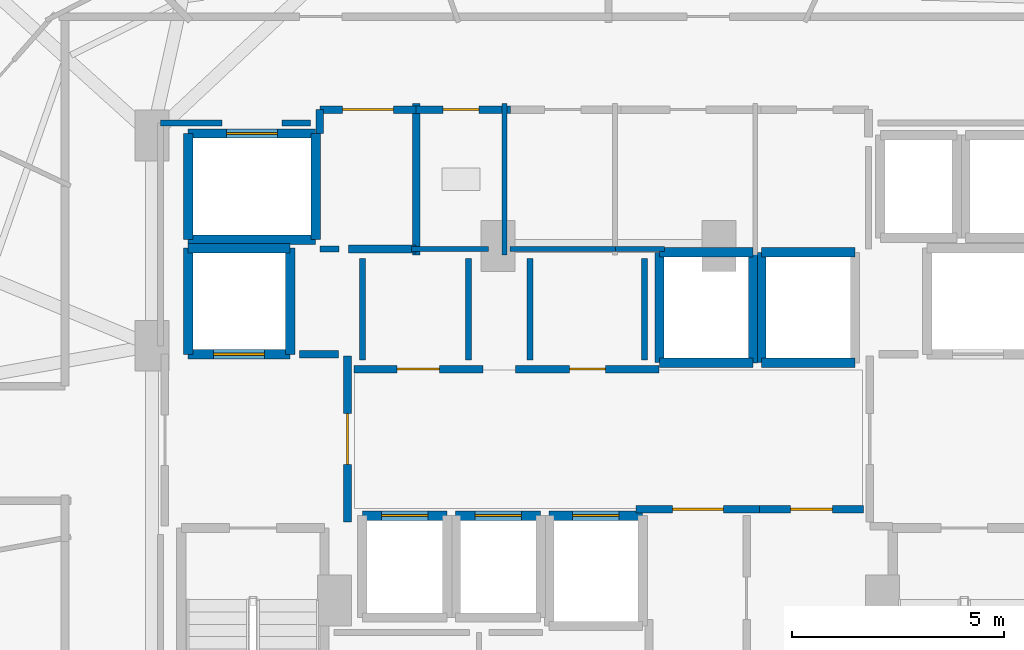
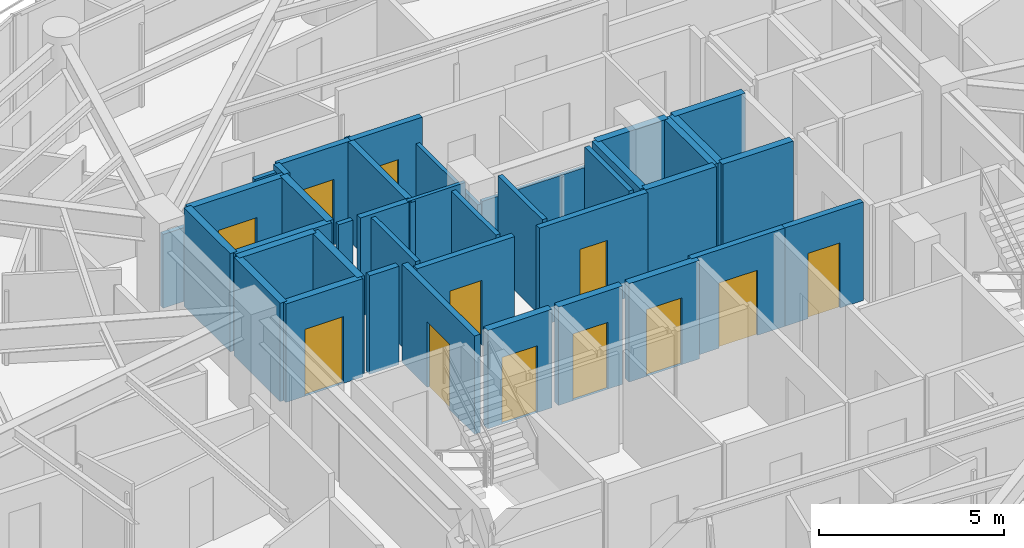
# One storey, part 24 of 31: 40 walls, 12 doors, 12 openings.
"""IFC4 building model written with IfcOpenShell, lengths in metres."""

from ifc_helpers import new_model, si_unit, direction, frame, frame_2d, origin, place, context, subcontext, project, spatial, rectangle, extrude, material, layer, layer_set, type_object, element, fill, save


model = new_model("IFC4")

# Units and contexts
model_context = context("Model", 3, precision=1e-05, world=origin(), true_north=direction((0.0, 1.0)))
body_context = subcontext(model_context, "Body", "Model", "MODEL_VIEW")
ifc_project = project(units=[si_unit("LENGTHUNIT", "METRE"), si_unit("AREAUNIT", "SQUARE_METRE"), si_unit("VOLUMEUNIT", "CUBIC_METRE"), si_unit("PLANEANGLEUNIT", "RADIAN"), si_unit("MASSUNIT", "GRAM", prefix="KILO")], contexts=[model_context])

# Site, building, storey
site_placement = place(None, origin())
site = spatial("IfcSite", under=ifc_project, at=site_placement, CompositionType="ELEMENT")
building_placement = place(site_placement, origin())
building = spatial("IfcBuilding", under=site, at=building_placement, Name="Vorneva Point Tower", CompositionType="ELEMENT")
storey_placement = place(building_placement, frame((0.0, 0.0, 132.60009765625)))
storey = spatial("IfcBuildingStorey", under=building, at=storey_placement, Name="L35", CompositionType="ELEMENT", Elevation=132.60009765625)

# Wall, opening, door
ifc_material_1 = material(Name="Concrete B60 (C50/60)", Category="concrete")
ifc_layer_1 = layer(ifc_material_1, 0.5)
ifc_layer_set_1 = layer_set([ifc_layer_1], Name="Concrete B60 (C50/60)")
wall_type_1 = type_object("IfcWallType", Name="WL-CORE-500", PredefinedType="SHEAR", material=ifc_layer_set_1)
wall_1_placement = place(storey_placement, frame((28.10009765625, 28.0, 0.0), z_axis=(0.0, 0.0, 1.0), x_axis=(1.0, 0.0, 0.0)))
wall_1 = element("IfcWall", 1, at=wall_1_placement, inside=storey, type_object=wall_type_1, Name="L35 Lift FFL1 Shaft Wall -Y", PredefinedType="SHEAR", context=body_context, shape_type="SweptSolid", body=[
    extrude(rectangle(XDim=2.39990234375, YDim=0.219970703125, at=frame_2d((1.199951171875, 0.0))), origin(), (0.0, 0.0, 1.0), 3.239990234375),
])
opening_1_placement = place(wall_1_placement, frame((0.60009765625, 0.0, 0.0)))
opening_1 = element("IfcOpeningElement", 2, at=opening_1_placement, cuts=wall_1, Name="Opening LD-02", PredefinedType="OPENING", context=body_context, shape_type="SweptSolid", body=[
    extrude(rectangle(XDim=1.199951171875, YDim=2.199951171875, at=frame_2d((0.60009765625, 1.10009765625))), frame((0.0, 0.125, 0.0), z_axis=(0.0, -1.0, 0.0), x_axis=(1.0, 0.0, 0.0)), (0.0, 0.0, 1.0), 0.249755859375),
])
ifc_material_2 = material(Name="Brushed stainless steel S304", Category="steel")
door_type_1 = type_object("IfcDoorType", Name="LD-FIRE-1200", OperationType="SLIDING_TO_LEFT", PredefinedType="DOOR", material=ifc_material_2)
door_1_placement = place(opening_1_placement, origin())
door_1 = element("IfcDoor", 3, at=door_1_placement, inside=storey, type_object=door_type_1, Name="L35 Lift FFL1 Sliding Landing Door", OperationType="SLIDING_TO_LEFT", OverallHeight=2.199951171875, OverallWidth=1.199951171875, PredefinedType="DOOR", context=body_context, shape_type="SweptSolid", body=[
    extrude(rectangle(XDim=1.199951171875, YDim=2.199951171875, at=frame_2d((0.60009765625, 1.10009765625))), frame((0.0, 0.02490234375, 0.0), z_axis=(0.0, -1.0, 0.0), x_axis=(1.0, 0.0, 0.0)), (0.0, 0.0, 1.0), 0.050048828125),
])
fill(opening_1, door_1)

# Walls
wall_2_placement = place(storey_placement, frame((30.5, 28.0, 0.0), z_axis=(0.0, 0.0, 1.0), x_axis=(0.0, 1.0, 0.0)))
element("IfcWall", 4, at=wall_2_placement, inside=storey, type_object=wall_type_1, Name="L35 Lift FFL1 Shaft Wall +X", PredefinedType="SHEAR", context=body_context, shape_type="SweptSolid", body=[
    extrude(rectangle(XDim=2.5, YDim=0.219970703125, at=frame_2d((1.25, 0.0))), origin(), (0.0, 0.0, 1.0), 3.239990234375),
])
wall_3_placement = place(storey_placement, frame((30.5, 30.5, 0.0), z_axis=(0.0, 0.0, 1.0), x_axis=(-1.0, 0.0, 0.0)))
element("IfcWall", 5, at=wall_3_placement, inside=storey, type_object=wall_type_1, Name="L35 Lift FFL1 Shaft Wall +Y", PredefinedType="SHEAR", context=body_context, shape_type="SweptSolid", body=[
    extrude(rectangle(XDim=2.39990234375, YDim=0.219970703125, at=frame_2d((1.199951171875, 0.0))), origin(), (0.0, 0.0, 1.0), 3.239990234375),
])
wall_4_placement = place(storey_placement, frame((28.10009765625, 30.5, 0.0), z_axis=(0.0, 0.0, 1.0), x_axis=(0.0, -1.0, 0.0)))
element("IfcWall", 6, at=wall_4_placement, inside=storey, type_object=wall_type_1, Name="L35 Lift FFL1 Shaft Wall -X", PredefinedType="SHEAR", context=body_context, shape_type="SweptSolid", body=[
    extrude(rectangle(XDim=2.5, YDim=0.219970703125, at=frame_2d((1.25, 0.0))), origin(), (0.0, 0.0, 1.0), 3.239990234375),
])
ifc_material_3 = material(Name="Fire-rated acoustic gypsum stud partition", Category="gypsum")
ifc_layer_2 = layer(ifc_material_3, 0.110107421875)
ifc_layer_set_2 = layer_set([ifc_layer_2], Name="Fire-rated acoustic gypsum stud partition")
wall_type_2 = type_object("IfcWallType", Name="WL-PART-110", PredefinedType="PARTITIONING", material=ifc_layer_set_2)
wall_5_placement = place(storey_placement, frame((35.550048828125, 30.340087890625, 0.0), z_axis=(0.0, 0.0, 1.0), x_axis=(0.0, 1.0, 0.0)))
element("IfcWall", 7, at=wall_5_placement, inside=storey, type_object=wall_type_2, Name="L35 Interior Partition 020", PredefinedType="PARTITIONING", context=body_context, shape_type="SweptSolid", body=[
    extrude(rectangle(XDim=3.559814453125, YDim=0.110107421875, at=frame_2d((1.77978515625, 0.0))), origin(), (0.0, 0.0, 1.0), 2.431884765625),
])
wall_6_placement = place(storey_placement, frame((33.360107421875, 30.47998046875, 0.0), z_axis=(0.0, 0.0, 1.0), x_axis=(1.0, 0.0, 0.0)))
element("IfcWall", 8, at=wall_6_placement, inside=storey, type_object=wall_type_2, Name="L35 Interior Partition 021", PredefinedType="PARTITIONING", context=body_context, shape_type="SweptSolid", body=[
    extrude(rectangle(XDim=1.809814453125, YDim=0.110107421875, at=frame_2d((0.90478515625, 0.0))), origin(), (0.0, 0.0, 1.0), 3.239990234375),
])
wall_7_placement = place(storey_placement, frame((35.679931640625, 30.47998046875, 0.0), z_axis=(0.0, 0.0, 1.0), x_axis=(1.0, 0.0, 0.0)))
element("IfcWall", 9, at=wall_7_placement, inside=storey, type_object=wall_type_2, Name="L35 Interior Partition 024", PredefinedType="PARTITIONING", context=body_context, shape_type="SweptSolid", body=[
    extrude(rectangle(XDim=2.594970703125, YDim=0.110107421875, at=frame_2d((1.29736328125, 0.0))), origin(), (0.0, 0.0, 1.0), 2.431884765625),
])
wall_8_placement = place(storey_placement, frame((38.1650390625, 30.47998046875, 0.0), z_axis=(0.0, 0.0, 1.0), x_axis=(1.0, 0.0, 0.0)))
element("IfcWall", 10, at=wall_8_placement, inside=storey, type_object=wall_type_2, Name="L35 Interior Partition 027", PredefinedType="PARTITIONING", context=body_context, shape_type="SweptSolid", body=[
    extrude(rectangle(XDim=1.155029296875, YDim=0.110107421875, at=frame_2d((0.57763671875, 0.0))), origin(), (0.0, 0.0, 1.0), 2.431884765625),
])
ifc_layer_3 = layer(ifc_material_3, 0.139892578125)
ifc_layer_set_3 = layer_set([ifc_layer_3], Name="Fire-rated acoustic gypsum stud partition")
wall_type_3 = type_object("IfcWallType", Name="WL-PART-140", PredefinedType="PARTITIONING", material=ifc_layer_set_3)
wall_9_placement = place(storey_placement, frame((31.199951171875, 30.47998046875, 0.0), z_axis=(0.0, 0.0, 1.0), x_axis=(1.0, 0.0, 0.0)))
element("IfcWall", 11, at=wall_9_placement, inside=storey, type_object=wall_type_3, Name="L35 Interior Closure Partition 137", PredefinedType="PARTITIONING", context=body_context, shape_type="SweptSolid", body=[
    extrude(rectangle(XDim=0.449951171875, YDim=0.139892578125, at=frame_2d((0.22509765625, 0.0))), origin(), (0.0, 0.0, 1.0), 3.239990234375),
])
for number, where, z_axis, x_axis, name in (
    (12, (32.199951171875, 30.260009765625, 0.0), (0.0, 0.0, 1.0), (0.0, -1.0, 0.0), "L35 Interior Closure Partition 141"),
    (13, (34.699951171875, 27.8701171875, 0.0), (0.0, 0.0, 1.0), (0.0, 1.0, 0.0), "L35 Interior Closure Partition 142"),
    (14, (36.14990234375, 30.260009765625, 0.0), (0.0, 0.0, 1.0), (0.0, -1.0, 0.0), "L35 Interior Closure Partition 143"),
    (15, (38.85009765625, 27.8701171875, 0.0), (0.0, 0.0, 1.0), (0.0, 1.0, 0.0), "L35 Interior Closure Partition 144"),
):
    element("IfcWall", number, at=place(storey_placement, frame(where, z_axis=z_axis, x_axis=x_axis)), inside=storey, type_object=wall_type_3, Name=name, PredefinedType="PARTITIONING", context=body_context, shape_type="SweptSolid", body=[
        extrude(rectangle(XDim=2.389892578125, YDim=0.139892578125, at=frame_2d((1.19482421875, 0.0))), origin(), (0.0, 0.0, 1.0), 3.239990234375),
    ])
wall_10_placement = place(storey_placement, frame((30.97998046875, 33.449951171875, 0.0), z_axis=(0.0, 0.0, 1.0), x_axis=(-1.0, 0.0, 0.0)))
element("IfcWall", 16, at=wall_10_placement, inside=storey, type_object=wall_type_3, Name="L35 Interior Closure Partition 147", PredefinedType="PARTITIONING", context=body_context, shape_type="SweptSolid", body=[
    extrude(rectangle(XDim=0.674072265625, YDim=0.139892578125, at=frame_2d((0.3369140625, 0.0))), origin(), (0.0, 0.0, 1.0), 3.239990234375),
])
wall_11_placement = place(storey_placement, frame((28.89404296875, 33.449951171875, 0.0), z_axis=(0.0, 0.0, 1.0), x_axis=(-1.0, 0.0, 0.0)))
element("IfcWall", 17, at=wall_11_placement, inside=storey, type_object=wall_type_3, Name="L35 Interior Closure Partition 148", PredefinedType="PARTITIONING", context=body_context, shape_type="SweptSolid", body=[
    extrude(rectangle(XDim=1.444091796875, YDim=0.139892578125, at=frame_2d((0.72216796875, 0.0))), origin(), (0.0, 0.0, 1.0), 2.431884765625),
])

# Wall, opening, door
ifc_material_4 = material(Name="Autoclaved aerated concrete blockwork", Category="masonry")
ifc_layer_4 = layer(ifc_material_4, 0.179931640625)
ifc_layer_set_4 = layer_set([ifc_layer_4], Name="Autoclaved aerated concrete blockwork")
wall_type_4 = type_object("IfcWallType", Name="WL-PART-180", PredefinedType="PARTITIONING", material=ifc_layer_set_4)
wall_12_placement = place(storey_placement, frame((31.85009765625, 24.044921875, 0.0), z_axis=(0.0, 0.0, 1.0), x_axis=(0.0, 1.0, 0.0)))
wall_12 = element("IfcWall", 18, at=wall_12_placement, inside=storey, type_object=wall_type_4, Name="L35 Interior Partition 001", PredefinedType="PARTITIONING", context=body_context, shape_type="SweptSolid", body=[
    extrude(rectangle(XDim=3.91015625, YDim=0.179931640625, at=frame_2d((1.955078125, 0.0))), origin(), (0.0, 0.0, 1.0), 3.239990234375),
])
opening_2_placement = place(wall_12_placement, frame((1.35498046875, 0.0, 0.0)))
opening_2 = element("IfcOpeningElement", 19, at=opening_2_placement, cuts=wall_12, Name="Opening FD-02", PredefinedType="OPENING", context=body_context, shape_type="SweptSolid", body=[
    extrude(rectangle(XDim=1.199951171875, YDim=2.14990234375, at=frame_2d((0.60009765625, 1.074951171875))), frame((0.0, 0.10498046875, 0.0), z_axis=(0.0, -1.0, 0.0), x_axis=(1.0, 0.0, 0.0)), (0.0, 0.0, 1.0), 0.209716796875),
])
ifc_material_5 = material(Name="Fire-rated powder-coated steel", Category="steel")
door_type_2 = type_object("IfcDoorType", Name="DR-FFL-1200", OperationType="NOTDEFINED", PredefinedType="DOOR", material=ifc_material_5)
door_2_placement = place(opening_2_placement, origin())
door_2 = element("IfcDoor", 20, at=door_2_placement, inside=storey, type_object=door_type_2, Name="L35 Door West Firefighting Lobby / Central Lift Lobby", OperationType="SINGLE_SWING_LEFT", OverallHeight=2.14990234375, OverallWidth=1.199951171875, PredefinedType="DOOR", context=body_context, shape_type="SweptSolid", body=[
    extrude(rectangle(XDim=1.199951171875, YDim=2.14990234375, at=frame_2d((0.60009765625, 1.074951171875))), frame((0.0, 0.02490234375, 0.0), z_axis=(0.0, -1.0, 0.0), x_axis=(1.0, 0.0, 0.0)), (0.0, 0.0, 1.0), 0.050048828125),
])
fill(opening_2, door_2)

# Walls
wall_13_placement = place(storey_placement, frame((33.469970703125, 30.340087890625, 0.0), z_axis=(0.0, 0.0, 1.0), x_axis=(0.0, 1.0, 0.0)))
element("IfcWall", 21, at=wall_13_placement, inside=storey, type_object=wall_type_4, Name="L35 Interior Partition 006", PredefinedType="PARTITIONING", context=body_context, shape_type="SweptSolid", body=[
    extrude(rectangle(XDim=3.559814453125, YDim=0.179931640625, at=frame_2d((1.77978515625, 0.0))), origin(), (0.0, 0.0, 1.0), 3.239990234375),
])
wall_14_placement = place(storey_placement, frame((31.8701171875, 30.47998046875, 0.0), z_axis=(0.0, 0.0, 1.0), x_axis=(1.0, 0.0, 0.0)))
element("IfcWall", 22, at=wall_14_placement, inside=storey, type_object=wall_type_4, Name="L35 Interior Partition 007", PredefinedType="PARTITIONING", context=body_context, shape_type="SweptSolid", body=[
    extrude(rectangle(XDim=1.599853515625, YDim=0.179931640625, at=frame_2d((0.7998046875, 0.0))), origin(), (0.0, 0.0, 1.0), 3.239990234375),
])

# Wall, opening, door
wall_15_placement = place(storey_placement, frame((33.469970703125, 33.760009765625, 0.0), z_axis=(0.0, 0.0, 1.0), x_axis=(-1.0, 0.0, 0.0)))
wall_15 = element("IfcWall", 23, at=wall_15_placement, inside=storey, type_object=wall_type_4, Name="L35 Interior Partition 008", PredefinedType="PARTITIONING", context=body_context, shape_type="SweptSolid", body=[
    extrude(rectangle(XDim=2.27001953125, YDim=0.179931640625, at=frame_2d((1.135009765625, 0.0))), origin(), (0.0, 0.0, 1.0), 3.239990234375),
])
opening_3_placement = place(wall_15_placement, frame((0.534912109375, 0.0, 0.0)))
opening_3 = element("IfcOpeningElement", 24, at=opening_3_placement, cuts=wall_15, Name="Opening FD-02", PredefinedType="OPENING", context=body_context, shape_type="SweptSolid", body=[
    extrude(rectangle(XDim=1.199951171875, YDim=2.14990234375, at=frame_2d((0.60009765625, 1.074951171875))), frame((0.0, 0.10498046875, 0.0), z_axis=(0.0, -1.0, 0.0), x_axis=(1.0, 0.0, 0.0)), (0.0, 0.0, 1.0), 0.209716796875),
])
door_3_placement = place(opening_3_placement, origin())
door_3 = element("IfcDoor", 25, at=door_3_placement, inside=storey, type_object=door_type_2, Name="L35 Door Service Lift Lobby / L35 Circulation Corridor", OperationType="SINGLE_SWING_LEFT", OverallHeight=2.14990234375, OverallWidth=1.199951171875, PredefinedType="DOOR", context=body_context, shape_type="SweptSolid", body=[
    extrude(rectangle(XDim=1.199951171875, YDim=2.14990234375, at=frame_2d((0.60009765625, 1.074951171875))), frame((0.0, 0.02490234375, 0.0), z_axis=(0.0, -1.0, 0.0), x_axis=(1.0, 0.0, 0.0)), (0.0, 0.0, 1.0), 0.050048828125),
])
fill(opening_3, door_3)

# Wall
wall_16_placement = place(storey_placement, frame((31.199951171875, 33.760009765625, 0.0), z_axis=(0.0, 0.0, 1.0), x_axis=(0.0, -1.0, 0.0)))
element("IfcWall", 26, at=wall_16_placement, inside=storey, type_object=wall_type_4, Name="L35 Interior Partition 009", PredefinedType="PARTITIONING", context=body_context, shape_type="SweptSolid", body=[
    extrude(rectangle(XDim=0.56005859375, YDim=0.179931640625, at=frame_2d((0.280029296875, 0.0))), origin(), (0.0, 0.0, 1.0), 3.239990234375),
])

# Wall, opening, door
wall_17_placement = place(storey_placement, frame((38.64501953125, 24.35009765625, 0.0), z_axis=(0.0, 0.0, 1.0), x_axis=(1.0, 0.0, 0.0)))
wall_17 = element("IfcWall", 27, at=wall_17_placement, inside=storey, type_object=wall_type_4, Name="L35 Interior Partition 010", PredefinedType="PARTITIONING", context=body_context, shape_type="SweptSolid", body=[
    extrude(rectangle(XDim=2.909912109375, YDim=0.179931640625, at=frame_2d((1.455078125, 0.0))), origin(), (0.0, 0.0, 1.0), 3.239990234375),
])
opening_4_placement = place(wall_17_placement, frame((0.85498046875, 0.0, 0.0)))
opening_4 = element("IfcOpeningElement", 28, at=opening_4_placement, cuts=wall_17, Name="Opening FD-02", PredefinedType="OPENING", context=body_context, shape_type="SweptSolid", body=[
    extrude(rectangle(XDim=1.199951171875, YDim=2.14990234375, at=frame_2d((0.60009765625, 1.074951171875))), frame((0.0, 0.10498046875, 0.0), z_axis=(0.0, -1.0, 0.0), x_axis=(1.0, 0.0, 0.0)), (0.0, 0.0, 1.0), 0.209716796875),
])
door_4_placement = place(opening_4_placement, origin())
door_4 = element("IfcDoor", 29, at=door_4_placement, inside=storey, type_object=door_type_2, Name="L35 Door Central Lift Lobby / Core Service Lobby", OperationType="SINGLE_SWING_RIGHT", OverallHeight=2.14990234375, OverallWidth=1.199951171875, PredefinedType="DOOR", context=body_context, shape_type="SweptSolid", body=[
    extrude(rectangle(XDim=1.199951171875, YDim=2.14990234375, at=frame_2d((0.60009765625, 1.074951171875))), frame((0.0, 0.02490234375, 0.0), z_axis=(0.0, -1.0, 0.0), x_axis=(1.0, 0.0, 0.0)), (0.0, 0.0, 1.0), 0.050048828125),
])
fill(opening_4, door_4)

wall_18_placement = place(storey_placement, frame((41.554931640625, 24.35009765625, 0.0), z_axis=(0.0, 0.0, 1.0), x_axis=(1.0, 0.0, 0.0)))
wall_18 = element("IfcWall", 30, at=wall_18_placement, inside=storey, type_object=wall_type_4, Name="L35 Interior Partition 011", PredefinedType="PARTITIONING", context=body_context, shape_type="SweptSolid", body=[
    extrude(rectangle(XDim=2.445068359375, YDim=0.179931640625, at=frame_2d((1.22265625, 0.0))), origin(), (0.0, 0.0, 1.0), 3.239990234375),
])
opening_5_placement = place(wall_18_placement, frame((0.722412109375, 0.0, 0.0)))
opening_5 = element("IfcOpeningElement", 31, at=opening_5_placement, cuts=wall_18, Name="Opening UD-01", PredefinedType="OPENING", context=body_context, shape_type="SweptSolid", body=[
    extrude(rectangle(XDim=1.0, YDim=2.14990234375, at=frame_2d((0.5, 1.074951171875))), frame((0.0, 0.10498046875, 0.0), z_axis=(0.0, -1.0, 0.0), x_axis=(1.0, 0.0, 0.0)), (0.0, 0.0, 1.0), 0.209716796875),
])
ifc_material_6 = material(Name="Engineered oak fire-rated door leaf", Category="wood")
door_type_3 = type_object("IfcDoorType", Name="DR-UNIT-1000", OperationType="NOTDEFINED", PredefinedType="DOOR", material=ifc_material_6)
door_5_placement = place(opening_5_placement, origin())
door_5 = element("IfcDoor", 32, at=door_5_placement, inside=storey, type_object=door_type_3, Name="L35 Door Central Lift Lobby / Floor Management Office", OperationType="SINGLE_SWING_LEFT", OverallHeight=2.14990234375, OverallWidth=1.0, PredefinedType="DOOR", context=body_context, shape_type="SweptSolid", body=[
    extrude(rectangle(XDim=1.0, YDim=2.14990234375, at=frame_2d((0.5, 1.074951171875))), frame((0.0, 0.02490234375, 0.0), z_axis=(0.0, -1.0, 0.0), x_axis=(1.0, 0.0, 0.0)), (0.0, 0.0, 1.0), 0.050048828125),
])
fill(opening_5, door_5)

wall_19_placement = place(storey_placement, frame((35.0400390625, 27.64990234375, 0.0), z_axis=(0.0, 0.0, 1.0), x_axis=(-1.0, 0.0, 0.0)))
wall_19 = element("IfcWall", 33, at=wall_19_placement, inside=storey, type_object=wall_type_4, Name="L35 Interior Partition 012", PredefinedType="PARTITIONING", context=body_context, shape_type="SweptSolid", body=[
    extrude(rectangle(XDim=3.0400390625, YDim=0.179931640625, at=frame_2d((1.52001953125, 0.0))), origin(), (0.0, 0.0, 1.0), 3.239990234375),
])
opening_6_placement = place(wall_19_placement, frame((1.02001953125, 0.0, 0.0)))
opening_6 = element("IfcOpeningElement", 34, at=opening_6_placement, cuts=wall_19, Name="Opening UD-01", PredefinedType="OPENING", context=body_context, shape_type="SweptSolid", body=[
    extrude(rectangle(XDim=1.0, YDim=2.14990234375, at=frame_2d((0.5, 1.074951171875))), frame((0.0, 0.10498046875, 0.0), z_axis=(0.0, -1.0, 0.0), x_axis=(1.0, 0.0, 0.0)), (0.0, 0.0, 1.0), 0.209716796875),
])
door_6_placement = place(opening_6_placement, origin())
door_6 = element("IfcDoor", 35, at=door_6_placement, inside=storey, type_object=door_type_3, Name="L35 Door Central Lift Lobby / Reclaimed Core Lounge", OperationType="SINGLE_SWING_RIGHT", OverallHeight=2.14990234375, OverallWidth=1.0, PredefinedType="DOOR", context=body_context, shape_type="SweptSolid", body=[
    extrude(rectangle(XDim=1.0, YDim=2.14990234375, at=frame_2d((0.5, 1.074951171875))), frame((0.0, 0.02490234375, 0.0), z_axis=(0.0, -1.0, 0.0), x_axis=(1.0, 0.0, 0.0)), (0.0, 0.0, 1.0), 0.050048828125),
])
fill(opening_6, door_6)

wall_20_placement = place(storey_placement, frame((39.18994140625, 27.64990234375, 0.0), z_axis=(0.0, 0.0, 1.0), x_axis=(-1.0, 0.0, 0.0)))
wall_20 = element("IfcWall", 36, at=wall_20_placement, inside=storey, type_object=wall_type_4, Name="L35 Interior Partition 013", PredefinedType="PARTITIONING", context=body_context, shape_type="SweptSolid", body=[
    extrude(rectangle(XDim=3.3798828125, YDim=0.179931640625, at=frame_2d((1.68994140625, 0.0))), origin(), (0.0, 0.0, 1.0), 3.239990234375),
])
opening_7_placement = place(wall_20_placement, frame((1.264892578125, 0.0, 0.0)))
opening_7 = element("IfcOpeningElement", 37, at=opening_7_placement, cuts=wall_20, Name="Opening ID-02", PredefinedType="OPENING", context=body_context, shape_type="SweptSolid", body=[
    extrude(rectangle(XDim=0.85009765625, YDim=2.10009765625, at=frame_2d((0.425048828125, 1.050048828125))), frame((0.0, 0.10498046875, 0.0), z_axis=(0.0, -1.0, 0.0), x_axis=(1.0, 0.0, 0.0)), (0.0, 0.0, 1.0), 0.209716796875),
])
door_type_4 = type_object("IfcDoorType", Name="DR-BATH-850", OperationType="NOTDEFINED", PredefinedType="DOOR", material=ifc_material_6)
door_7_placement = place(opening_7_placement, origin())
door_7 = element("IfcDoor", 38, at=door_7_placement, inside=storey, type_object=door_type_4, Name="L35 Door Central Lift Lobby / Reclaimed Core Archive Store", OperationType="SINGLE_SWING_LEFT", OverallHeight=2.10009765625, OverallWidth=0.85009765625, PredefinedType="DOOR", context=body_context, shape_type="SweptSolid", body=[
    extrude(rectangle(XDim=0.85009765625, YDim=2.10009765625, at=frame_2d((0.425048828125, 1.050048828125))), frame((0.0, 0.02490234375, 0.0), z_axis=(0.0, -1.0, 0.0), x_axis=(1.0, 0.0, 0.0)), (0.0, 0.0, 1.0), 0.050048828125),
])
fill(opening_7, door_7)

wall_21_placement = place(storey_placement, frame((35.68994140625, 33.760009765625, 0.0), z_axis=(0.0, 0.0, 1.0), x_axis=(-1.0, 0.0, 0.0)))
wall_21 = element("IfcWall", 39, at=wall_21_placement, inside=storey, type_object=wall_type_4, Name="L35 Interior Partition 022", PredefinedType="PARTITIONING", context=body_context, shape_type="SweptSolid", body=[
    extrude(rectangle(XDim=2.329833984375, YDim=0.179931640625, at=frame_2d((1.1650390625, 0.0))), origin(), (0.0, 0.0, 1.0), 3.239990234375),
])
opening_8_placement = place(wall_21_placement, frame((0.739990234375, 0.0, 0.0)))
opening_8 = element("IfcOpeningElement", 40, at=opening_8_placement, cuts=wall_21, Name="Opening ID-02", PredefinedType="OPENING", context=body_context, shape_type="SweptSolid", body=[
    extrude(rectangle(XDim=0.85009765625, YDim=2.10009765625, at=frame_2d((0.425048828125, 1.050048828125))), frame((0.0, 0.10498046875, 0.0), z_axis=(0.0, -1.0, 0.0), x_axis=(1.0, 0.0, 0.0)), (0.0, 0.0, 1.0), 0.209716796875),
])
door_8_placement = place(opening_8_placement, origin())
door_8 = element("IfcDoor", 41, at=door_8_placement, inside=storey, type_object=door_type_4, Name="L35 Door Accessible WC / L35 Circulation Corridor", OperationType="SINGLE_SWING_LEFT", OverallHeight=2.10009765625, OverallWidth=0.85009765625, PredefinedType="DOOR", context=body_context, shape_type="SweptSolid", body=[
    extrude(rectangle(XDim=0.85009765625, YDim=2.10009765625, at=frame_2d((0.425048828125, 1.050048828125))), frame((0.0, 0.02490234375, 0.0), z_axis=(0.0, -1.0, 0.0), x_axis=(1.0, 0.0, 0.0)), (0.0, 0.0, 1.0), 0.050048828125),
])
fill(opening_8, door_8)

# Wall
wall_22_placement = place(storey_placement, frame((31.635009765625, 28.0, 0.0), z_axis=(0.0, 0.0, 1.0), x_axis=(-1.0, 0.0, 0.0)))
element("IfcWall", 42, at=wall_22_placement, inside=storey, type_object=wall_type_4, Name="L35 Interior Closure Partition 135", PredefinedType="PARTITIONING", context=body_context, shape_type="SweptSolid", body=[
    extrude(rectangle(XDim=0.9150390625, YDim=0.179931640625, at=frame_2d((0.45751953125, 0.0))), origin(), (0.0, 0.0, 1.0), 3.239990234375),
])

# Wall, opening, door
ifc_material_7 = material(Name="Concrete B50 (C40/50)", Category="concrete")
ifc_layer_5 = layer(ifc_material_7, 0.219970703125)
ifc_layer_set_5 = layer_set([ifc_layer_5], Name="Concrete B50 (C40/50)")
wall_type_5 = type_object("IfcWallType", Name="WL-SHFT-220", PredefinedType="SOLIDWALL", material=ifc_layer_set_5)
wall_23_placement = place(storey_placement, frame((34.199951171875, 24.199951171875, 0.0), z_axis=(0.0, 0.0, 1.0), x_axis=(-1.0, 0.0, 0.0)))
wall_23 = element("IfcWall", 43, at=wall_23_placement, inside=storey, type_object=wall_type_5, Name="L35 Lift PL4 Shaft Wall +Y", PredefinedType="SOLIDWALL", context=body_context, shape_type="SweptSolid", body=[
    extrude(rectangle(XDim=2.0, YDim=0.219970703125, at=frame_2d((1.0, 0.0))), origin(), (0.0, 0.0, 1.0), 3.239990234375),
])
opening_9_placement = place(wall_23_placement, frame((0.449951171875, 0.0, 0.0)))
opening_9 = element("IfcOpeningElement", 44, at=opening_9_placement, cuts=wall_23, Name="Opening LD-01", PredefinedType="OPENING", context=body_context, shape_type="SweptSolid", body=[
    extrude(rectangle(XDim=1.10009765625, YDim=2.199951171875, at=frame_2d((0.550048828125, 1.10009765625))), frame((0.0, 0.125, 0.0), z_axis=(0.0, -1.0, 0.0), x_axis=(1.0, 0.0, 0.0)), (0.0, 0.0, 1.0), 0.249755859375),
])
door_type_5 = type_object("IfcDoorType", Name="LD-PASS-1100", OperationType="SLIDING_TO_LEFT", PredefinedType="DOOR", material=ifc_material_2)
door_9_placement = place(opening_9_placement, origin())
door_9 = element("IfcDoor", 45, at=door_9_placement, inside=storey, type_object=door_type_5, Name="L35 Lift PL4 Sliding Landing Door", OperationType="SLIDING_TO_LEFT", OverallHeight=2.199951171875, OverallWidth=1.10009765625, PredefinedType="DOOR", context=body_context, shape_type="SweptSolid", body=[
    extrude(rectangle(XDim=1.10009765625, YDim=2.199951171875, at=frame_2d((0.550048828125, 1.10009765625))), frame((0.0, 0.02490234375, 0.0), z_axis=(0.0, -1.0, 0.0), x_axis=(1.0, 0.0, 0.0)), (0.0, 0.0, 1.0), 0.050048828125),
])
fill(opening_9, door_9)

wall_24_placement = place(storey_placement, frame((36.39990234375, 24.199951171875, 0.0), z_axis=(0.0, 0.0, 1.0), x_axis=(-1.0, 0.0, 0.0)))
wall_24 = element("IfcWall", 46, at=wall_24_placement, inside=storey, type_object=wall_type_5, Name="L35 Lift PL5 Shaft Wall +Y", PredefinedType="SOLIDWALL", context=body_context, shape_type="SweptSolid", body=[
    extrude(rectangle(XDim=2.0, YDim=0.219970703125, at=frame_2d((1.0, 0.0))), origin(), (0.0, 0.0, 1.0), 3.239990234375),
])
opening_10_placement = place(wall_24_placement, frame((0.449951171875, 0.0, 0.0)))
opening_10 = element("IfcOpeningElement", 47, at=opening_10_placement, cuts=wall_24, Name="Opening LD-01", PredefinedType="OPENING", context=body_context, shape_type="SweptSolid", body=[
    extrude(rectangle(XDim=1.10009765625, YDim=2.199951171875, at=frame_2d((0.550048828125, 1.10009765625))), frame((0.0, 0.125, 0.0), z_axis=(0.0, -1.0, 0.0), x_axis=(1.0, 0.0, 0.0)), (0.0, 0.0, 1.0), 0.249755859375),
])
door_10_placement = place(opening_10_placement, origin())
door_10 = element("IfcDoor", 48, at=door_10_placement, inside=storey, type_object=door_type_5, Name="L35 Lift PL5 Sliding Landing Door", OperationType="SLIDING_TO_LEFT", OverallHeight=2.199951171875, OverallWidth=1.10009765625, PredefinedType="DOOR", context=body_context, shape_type="SweptSolid", body=[
    extrude(rectangle(XDim=1.10009765625, YDim=2.199951171875, at=frame_2d((0.550048828125, 1.10009765625))), frame((0.0, 0.02490234375, 0.0), z_axis=(0.0, -1.0, 0.0), x_axis=(1.0, 0.0, 0.0)), (0.0, 0.0, 1.0), 0.050048828125),
])
fill(opening_10, door_10)

wall_25_placement = place(storey_placement, frame((38.800048828125, 24.199951171875, 0.0), z_axis=(0.0, 0.0, 1.0), x_axis=(-1.0, 0.0, 0.0)))
wall_25 = element("IfcWall", 49, at=wall_25_placement, inside=storey, type_object=wall_type_5, Name="L35 Lift PL6 Shaft Wall +Y", PredefinedType="SOLIDWALL", context=body_context, shape_type="SweptSolid", body=[
    extrude(rectangle(XDim=2.199951171875, YDim=0.219970703125, at=frame_2d((1.10009765625, 0.0))), origin(), (0.0, 0.0, 1.0), 3.239990234375),
])
opening_11_placement = place(wall_25_placement, frame((0.550048828125, 0.0, 0.0)))
opening_11 = element("IfcOpeningElement", 50, at=opening_11_placement, cuts=wall_25, Name="Opening LD-01", PredefinedType="OPENING", context=body_context, shape_type="SweptSolid", body=[
    extrude(rectangle(XDim=1.10009765625, YDim=2.199951171875, at=frame_2d((0.550048828125, 1.10009765625))), frame((0.0, 0.125, 0.0), z_axis=(0.0, -1.0, 0.0), x_axis=(1.0, 0.0, 0.0)), (0.0, 0.0, 1.0), 0.249755859375),
])
door_11_placement = place(opening_11_placement, origin())
door_11 = element("IfcDoor", 51, at=door_11_placement, inside=storey, type_object=door_type_5, Name="L35 Lift PL6 Sliding Landing Door", OperationType="SLIDING_TO_LEFT", OverallHeight=2.199951171875, OverallWidth=1.10009765625, PredefinedType="DOOR", context=body_context, shape_type="SweptSolid", body=[
    extrude(rectangle(XDim=1.10009765625, YDim=2.199951171875, at=frame_2d((0.550048828125, 1.10009765625))), frame((0.0, 0.02490234375, 0.0), z_axis=(0.0, -1.0, 0.0), x_axis=(1.0, 0.0, 0.0)), (0.0, 0.0, 1.0), 0.050048828125),
])
fill(opening_11, door_11)

# Walls
wall_26_placement = place(storey_placement, frame((39.199951171875, 27.800048828125, 0.0), z_axis=(0.0, 0.0, 1.0), x_axis=(1.0, 0.0, 0.0)))
element("IfcWall", 52, at=wall_26_placement, inside=storey, type_object=wall_type_5, Name="L35 Lift PL7 Shaft Wall -Y", PredefinedType="SOLIDWALL", context=body_context, shape_type="SweptSolid", body=[
    extrude(rectangle(XDim=2.199951171875, YDim=0.219970703125, at=frame_2d((1.10009765625, 0.0))), origin(), (0.0, 0.0, 1.0), 3.239990234375),
])
wall_27_placement = place(storey_placement, frame((41.39990234375, 27.800048828125, 0.0), z_axis=(0.0, 0.0, 1.0), x_axis=(0.0, 1.0, 0.0)))
element("IfcWall", 53, at=wall_27_placement, inside=storey, type_object=wall_type_5, Name="L35 Lift PL7 Shaft Wall +X", PredefinedType="SOLIDWALL", context=body_context, shape_type="SweptSolid", body=[
    extrude(rectangle(XDim=2.599853515625, YDim=0.219970703125, at=frame_2d((1.2998046875, 0.0))), origin(), (0.0, 0.0, 1.0), 3.239990234375),
])
wall_28_placement = place(storey_placement, frame((41.39990234375, 30.39990234375, 0.0), z_axis=(0.0, 0.0, 1.0), x_axis=(-1.0, 0.0, 0.0)))
element("IfcWall", 54, at=wall_28_placement, inside=storey, type_object=wall_type_5, Name="L35 Lift PL7 Shaft Wall +Y", PredefinedType="SOLIDWALL", context=body_context, shape_type="SweptSolid", body=[
    extrude(rectangle(XDim=2.199951171875, YDim=0.219970703125, at=frame_2d((1.10009765625, 0.0))), origin(), (0.0, 0.0, 1.0), 3.239990234375),
])
wall_29_placement = place(storey_placement, frame((39.199951171875, 30.39990234375, 0.0), z_axis=(0.0, 0.0, 1.0), x_axis=(0.0, -1.0, 0.0)))
element("IfcWall", 55, at=wall_29_placement, inside=storey, type_object=wall_type_5, Name="L35 Lift PL7 Shaft Wall -X", PredefinedType="SOLIDWALL", context=body_context, shape_type="SweptSolid", body=[
    extrude(rectangle(XDim=2.599853515625, YDim=0.219970703125, at=frame_2d((1.2998046875, 0.0))), origin(), (0.0, 0.0, 1.0), 3.239990234375),
])
for number, where, z_axis, x_axis, name in (
    (56, (41.60009765625, 27.800048828125, 0.0), (0.0, 0.0, 1.0), (1.0, 0.0, 0.0), "L35 Lift PL8 Shaft Wall -Y"),
    (57, (43.800048828125, 30.39990234375, 0.0), (0.0, 0.0, 1.0), (-1.0, 0.0, 0.0), "L35 Lift PL8 Shaft Wall +Y"),
):
    element("IfcWall", number, at=place(storey_placement, frame(where, z_axis=z_axis, x_axis=x_axis)), inside=storey, type_object=wall_type_5, Name=name, PredefinedType="SOLIDWALL", context=body_context, shape_type="SweptSolid", body=[
        extrude(rectangle(XDim=2.199951171875, YDim=0.219970703125, at=frame_2d((1.10009765625, 0.0))), origin(), (0.0, 0.0, 1.0), 3.239990234375),
    ])
wall_30_placement = place(storey_placement, frame((41.60009765625, 30.39990234375, 0.0), z_axis=(0.0, 0.0, 1.0), x_axis=(0.0, -1.0, 0.0)))
element("IfcWall", 58, at=wall_30_placement, inside=storey, type_object=wall_type_5, Name="L35 Lift PL8 Shaft Wall -X", PredefinedType="SOLIDWALL", context=body_context, shape_type="SweptSolid", body=[
    extrude(rectangle(XDim=2.599853515625, YDim=0.219970703125, at=frame_2d((1.2998046875, 0.0))), origin(), (0.0, 0.0, 1.0), 3.239990234375),
])
wall_31_placement = place(storey_placement, frame((28.10009765625, 30.699951171875, 0.0), z_axis=(0.0, 0.0, 1.0), x_axis=(1.0, 0.0, 0.0)))
element("IfcWall", 59, at=wall_31_placement, inside=storey, type_object=wall_type_5, Name="L35 Lift SVL1 Shaft Wall -Y", PredefinedType="SOLIDWALL", context=body_context, shape_type="SweptSolid", body=[
    extrude(rectangle(XDim=3.0, YDim=0.219970703125, at=frame_2d((1.5, 0.0))), origin(), (0.0, 0.0, 1.0), 3.239990234375),
])
wall_32_placement = place(storey_placement, frame((31.10009765625, 30.699951171875, 0.0), z_axis=(0.0, 0.0, 1.0), x_axis=(0.0, 1.0, 0.0)))
element("IfcWall", 60, at=wall_32_placement, inside=storey, type_object=wall_type_5, Name="L35 Lift SVL1 Shaft Wall +X", PredefinedType="SOLIDWALL", context=body_context, shape_type="SweptSolid", body=[
    extrude(rectangle(XDim=2.5, YDim=0.219970703125, at=frame_2d((1.25, 0.0))), origin(), (0.0, 0.0, 1.0), 3.239990234375),
])

# Wall, opening, door
wall_33_placement = place(storey_placement, frame((31.10009765625, 33.199951171875, 0.0), z_axis=(0.0, 0.0, 1.0), x_axis=(-1.0, 0.0, 0.0)))
wall_33 = element("IfcWall", 61, at=wall_33_placement, inside=storey, type_object=wall_type_5, Name="L35 Lift SVL1 Shaft Wall +Y", PredefinedType="SOLIDWALL", context=body_context, shape_type="SweptSolid", body=[
    extrude(rectangle(XDim=3.0, YDim=0.219970703125, at=frame_2d((1.5, 0.0))), origin(), (0.0, 0.0, 1.0), 3.239990234375),
])
opening_12_placement = place(wall_33_placement, frame((0.89990234375, 0.0, 0.0)))
opening_12 = element("IfcOpeningElement", 62, at=opening_12_placement, cuts=wall_33, Name="Opening LD-02", PredefinedType="OPENING", context=body_context, shape_type="SweptSolid", body=[
    extrude(rectangle(XDim=1.199951171875, YDim=2.199951171875, at=frame_2d((0.60009765625, 1.10009765625))), frame((0.0, 0.125, 0.0), z_axis=(0.0, -1.0, 0.0), x_axis=(1.0, 0.0, 0.0)), (0.0, 0.0, 1.0), 0.249755859375),
])
door_12_placement = place(opening_12_placement, origin())
door_12 = element("IfcDoor", 63, at=door_12_placement, inside=storey, type_object=door_type_1, Name="L35 Lift SVL1 Sliding Landing Door", OperationType="SLIDING_TO_LEFT", OverallHeight=2.199951171875, OverallWidth=1.199951171875, PredefinedType="DOOR", context=body_context, shape_type="SweptSolid", body=[
    extrude(rectangle(XDim=1.199951171875, YDim=2.199951171875, at=frame_2d((0.60009765625, 1.10009765625))), frame((0.0, 0.02490234375, 0.0), z_axis=(0.0, -1.0, 0.0), x_axis=(1.0, 0.0, 0.0)), (0.0, 0.0, 1.0), 0.050048828125),
])
fill(opening_12, door_12)

# Wall
wall_34_placement = place(storey_placement, frame((28.10009765625, 33.199951171875, 0.0), z_axis=(0.0, 0.0, 1.0), x_axis=(0.0, -1.0, 0.0)))
element("IfcWall", 64, at=wall_34_placement, inside=storey, type_object=wall_type_5, Name="L35 Lift SVL1 Shaft Wall -X", PredefinedType="SOLIDWALL", context=body_context, shape_type="SweptSolid", body=[
    extrude(rectangle(XDim=2.5, YDim=0.219970703125, at=frame_2d((1.25, 0.0))), origin(), (0.0, 0.0, 1.0), 3.239990234375),
])

save(model, "model.ifc")
